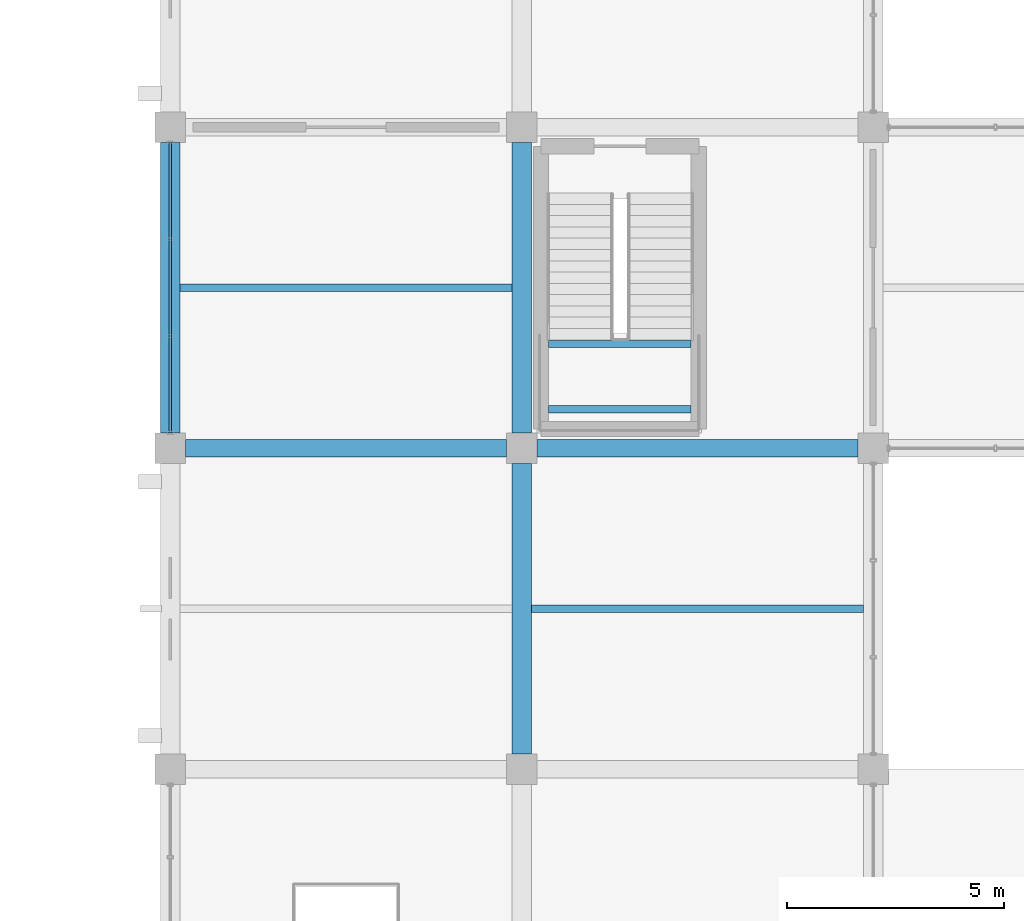
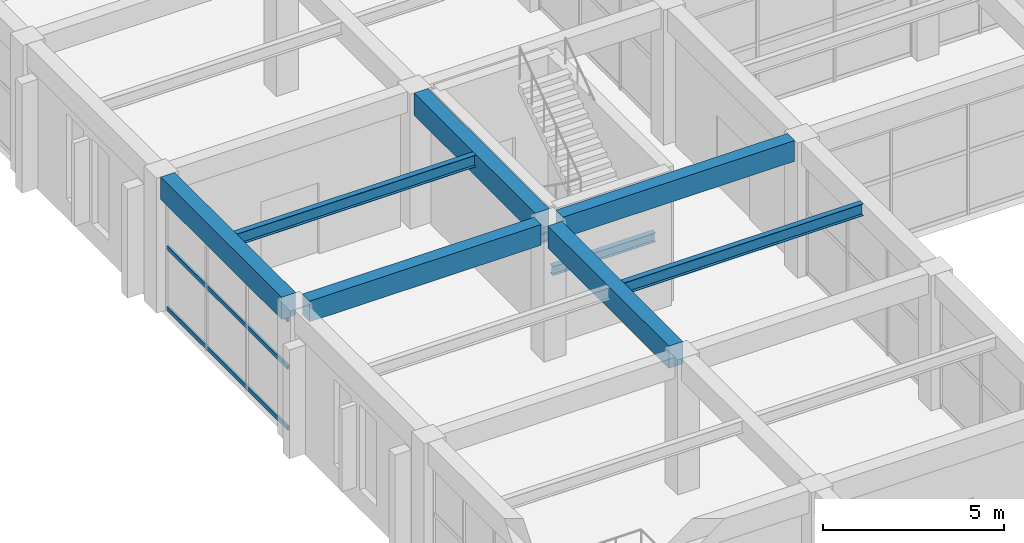
# One storey, part 26 of 161: 9 beams, 3 members, 1 element without a shape of its own.
"""IFC4 building model written with IfcOpenShell, lengths in metres."""

from ifc_helpers import new_model, si_unit, direction, frame, origin, origin_2d, place, context, subcontext, project, spatial, rectangle, hollow_rectangle, i_section, extrude, material, material_profile, profile_set, type_object, element, aggregate, save


model = new_model("IFC4")

# Units and contexts
model_context = context("Model", 3, precision=1e-05, world=origin(), true_north=direction((0.0, 1.0)))
body_context = subcontext(model_context, "Body", "Model", "MODEL_VIEW")
ifc_project = project(units=[si_unit("LENGTHUNIT", "METRE"), si_unit("AREAUNIT", "SQUARE_METRE"), si_unit("VOLUMEUNIT", "CUBIC_METRE"), si_unit("PLANEANGLEUNIT", "RADIAN"), si_unit("MASSUNIT", "GRAM", prefix="KILO")], contexts=[model_context])

# Site, building, storey
site_placement = place(None, origin())
site = spatial("IfcSite", under=ifc_project, at=site_placement, CompositionType="ELEMENT")
building_placement = place(site_placement, origin())
building = spatial("IfcBuilding", under=site, at=building_placement, Name="Cimatlan Art Gallery", CompositionType="ELEMENT")
storey_placement = place(building_placement, frame((0.0, 0.0, 5.39990234375)))
storey = spatial("IfcBuildingStorey", under=building, at=storey_placement, Name="L01", CompositionType="ELEMENT", Elevation=5.39990234375)

# Beams
ifc_material_1 = material(Name="Concrete C40/50", Category="concrete")
ifc_material_profile_1 = material_profile(ifc_material_1, rectangle(XDim=0.39990234375, YDim=0.699951171875, at=origin_2d()), Name="RC400X700")
ifc_profile_set_1 = profile_set([ifc_material_profile_1], Name="Concrete C40/50")
beam_type_1 = type_object("IfcBeamType", Name="BM-RC-400X700", PredefinedType="BEAM", material=ifc_profile_set_1)
for number, where, z_axis, x_axis, name in (
    (1, (34.75, 53.5, 4.210205078125), (1.0, 0.0, 0.0), (0.0, 1.0, 0.0), "BM-X-L01-04-07"),
    (2, (42.85009765625, 53.5, 4.210205078125), (1.0, 0.0, 0.0), (0.0, 1.0, 0.0), "BM-X-L01-05-07"),
):
    element("IfcBeam", number, at=place(storey_placement, frame(where, z_axis=z_axis, x_axis=x_axis)), inside=storey, type_object=beam_type_1, Name=name, PredefinedType="BEAM", context=body_context, shape_type="SweptSolid", body=[
        extrude(rectangle(XDim=0.39990234375, YDim=0.699951171875, at=origin_2d()), origin(), (0.0, 0.0, 1.0), 7.39990234375),
    ])
ifc_material_profile_2 = material_profile(ifc_material_1, rectangle(XDim=0.449951171875, YDim=0.75, at=origin_2d()), Name="RC450X750")
ifc_profile_set_2 = profile_set([ifc_material_profile_2], Name="Concrete C40/50")
beam_type_2 = type_object("IfcBeamType", Name="BM-RC-450X750", PredefinedType="BEAM", material=ifc_profile_set_2)
for number, where, z_axis, x_axis, name in (
    (3, (34.39990234375, 53.85009765625, 4.18505859375), (0.0, 1.0, 0.0), (-1.0, 0.0, 0.0), "BM-Y-L01-04-07"),
    (4, (42.5, 46.449951171875, 4.18505859375), (0.0, 1.0, 0.0), (-1.0, 0.0, 0.0), "BM-Y-L01-05-06"),
    (5, (42.5, 53.85009765625, 4.18505859375), (0.0, 1.0, 0.0), (-1.0, 0.0, 0.0), "BM-Y-L01-05-07"),
):
    element("IfcBeam", number, at=place(storey_placement, frame(where, z_axis=z_axis, x_axis=x_axis)), inside=storey, type_object=beam_type_2, Name=name, PredefinedType="BEAM", context=body_context, shape_type="SweptSolid", body=[
        extrude(rectangle(XDim=0.449951171875, YDim=0.75, at=origin_2d()), origin(), (0.0, 0.0, 1.0), 6.699951171875),
    ])
ifc_material_2 = material(Name="Steel ASTM A992 Grade 50", Category="steel")
ifc_material_profile_3 = material_profile(ifc_material_2, i_section(OverallWidth=0.1650390625, OverallDepth=0.31005859375, WebThickness=0.005859375, FlangeThickness=0.009765625, at=origin_2d()), Name="W12X26")
ifc_profile_set_3 = profile_set([ifc_material_profile_3], Name="Steel ASTM A992 Grade 50")
beam_type_3 = type_object("IfcBeamType", Name="BM-STL-W12X26", PredefinedType="JOIST", material=ifc_profile_set_3)
for number, where, z_axis, x_axis, name in (
    (6, (43.114990234375, 54.39990234375, 2.025146484375), (1.0, 0.0, 0.0), (0.0, 1.0, 0.0), "BM-STR-C8-L01-LH1"),
    (7, (43.114990234375, 55.89990234375, 2.025146484375), (1.0, 0.0, 0.0), (0.0, 1.0, 0.0), "BM-STR-C8-L01-LH2"),
):
    element("IfcBeam", number, at=place(storey_placement, frame(where, z_axis=z_axis, x_axis=x_axis)), inside=storey, type_object=beam_type_3, Name=name, PredefinedType="JOIST", context=body_context, shape_type="SweptSolid", body=[
        extrude(i_section(OverallWidth=0.1650390625, OverallDepth=0.31005859375, WebThickness=0.005859375, FlangeThickness=0.009765625, at=origin_2d()), origin(), (0.0, 0.0, 1.0), 3.2900390625),
    ])
ifc_material_profile_4 = material_profile(ifc_material_2, i_section(OverallWidth=0.177978515625, OverallDepth=0.406982421875, WebThickness=0.0078125, FlangeThickness=0.0126953125, at=origin_2d()), Name="W16X40")
ifc_profile_set_4 = profile_set([ifc_material_profile_4], Name="Steel ASTM A992 Grade 50")
beam_type_4 = type_object("IfcBeamType", Name="BM-STL-W16X40", PredefinedType="JOIST", material=ifc_profile_set_4)
for number, where, z_axis, x_axis, name in (
    (8, (34.625, 57.199951171875, 4.356689453125), (1.0, 0.0, 0.0), (0.0, 1.0, 0.0), "JST-L01-04-07"),
    (9, (42.72509765625, 49.800048828125, 4.356689453125), (1.0, 0.0, 0.0), (0.0, 1.0, 0.0), "JST-L01-05-06"),
):
    element("IfcBeam", number, at=place(storey_placement, frame(where, z_axis=z_axis, x_axis=x_axis)), inside=storey, type_object=beam_type_4, Name=name, PredefinedType="JOIST", context=body_context, shape_type="SweptSolid", body=[
        extrude(i_section(OverallWidth=0.177978515625, OverallDepth=0.406982421875, WebThickness=0.0078125, FlangeThickness=0.0126953125, at=origin_2d()), origin(), (0.0, 0.0, 1.0), 7.64990234375),
    ])

# Curtain wall, members
ifc_material_3 = material(Name="Anodised bronze unitised curtain wall")
curtain_wall_type = type_object("IfcCurtainWallType", Name="CW-V-06692X03780-B3", PredefinedType="NOTDEFINED", material=ifc_material_3)
curtain_wall_placement = place(storey_placement, origin())
curtain_wall = element("IfcCurtainWall", 10, at=curtain_wall_placement, inside=storey, type_object=curtain_wall_type, Name="CW-L01-04-07-W", PredefinedType="NOTDEFINED")
ifc_material_4 = material(Name="Anodised bronze aluminium 6063-T6", Category="aluminium")
ifc_material_profile_5 = material_profile(ifc_material_4, hollow_rectangle(XDim=0.06494140625, YDim=0.139892578125, WallThickness=0.00390625, at=origin_2d()), Name="ALU65X140X4")
ifc_profile_set_5 = profile_set([ifc_material_profile_5], Name="Anodised bronze aluminium 6063-T6")
member_type = type_object("IfcMemberType", Name="CW-TRN-140", PredefinedType="USERDEFINED", material=ifc_profile_set_5)
member_1_placement = place(storey_placement, frame((34.39990234375, 53.85400390625, 0.06005859375), z_axis=(0.0, 1.0, 0.0), x_axis=(-1.0, 0.0, 0.0)))
member_1 = element("IfcMember", 11, at=member_1_placement, type_object=member_type, Name="CW-L01-04-07-W-T1", ObjectType="TRANSOM", PredefinedType="USERDEFINED", context=body_context, shape_type="SweptSolid", body=[
    extrude(hollow_rectangle(XDim=0.06494140625, YDim=0.139892578125, WallThickness=0.00390625, at=origin_2d()), origin(), (0.0, 0.0, 1.0), 6.69189453125),
])
member_2_placement = place(storey_placement, frame((34.39990234375, 53.85400390625, 2.116943359375), z_axis=(0.0, 1.0, 0.0), x_axis=(-1.0, 0.0, 0.0)))
member_2 = element("IfcMember", 12, at=member_2_placement, type_object=member_type, Name="CW-L01-04-07-W-T2", ObjectType="TRANSOM", PredefinedType="USERDEFINED", context=body_context, shape_type="SweptSolid", body=[
    extrude(hollow_rectangle(XDim=0.06494140625, YDim=0.139892578125, WallThickness=0.00390625, at=origin_2d()), origin(), (0.0, 0.0, 1.0), 6.69189453125),
])
member_3_placement = place(storey_placement, frame((34.39990234375, 53.85400390625, 3.72021484375), z_axis=(0.0, 1.0, 0.0), x_axis=(-1.0, 0.0, 0.0)))
member_3 = element("IfcMember", 13, at=member_3_placement, type_object=member_type, Name="CW-L01-04-07-W-T3", ObjectType="TRANSOM", PredefinedType="USERDEFINED", context=body_context, shape_type="SweptSolid", body=[
    extrude(hollow_rectangle(XDim=0.06494140625, YDim=0.139892578125, WallThickness=0.00390625, at=origin_2d()), origin(), (0.0, 0.0, 1.0), 6.69189453125),
])
aggregate(curtain_wall, [member_1, member_2, member_3])

save(model, "model.ifc")
